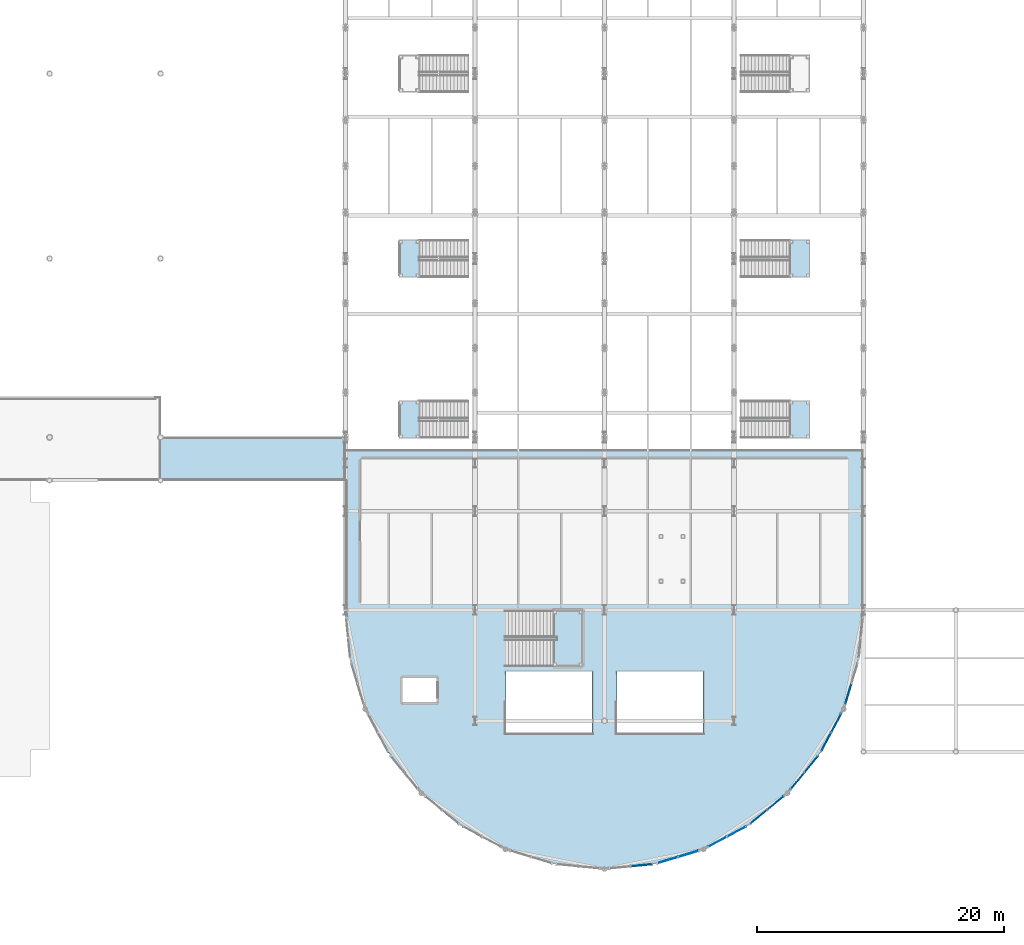
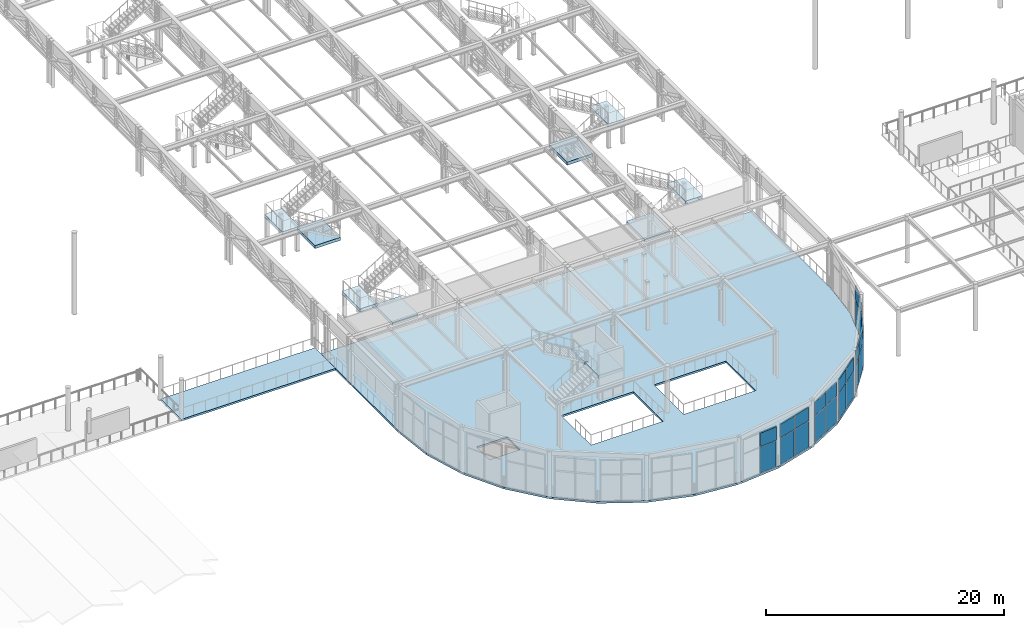
# One storey, part 72 of 143: 24 plates, 11 slabs, 12 elements without a shape of their own.
"""IFC4 building model written with IfcOpenShell, lengths in metres."""

from ifc_helpers import new_model, si_unit, direction, frame, origin, origin_2d, place, context, subcontext, project, spatial, polyline, rectangle, outline, extrude, material, layer, layer_set, type_object, element, aggregate, save


model = new_model("IFC4")

# Units and contexts
model_context = context("Model", 3, precision=1e-05, world=origin(), true_north=direction((0.0, 1.0)))
body_context = subcontext(model_context, "Body", "Model", "MODEL_VIEW")
ifc_project = project(units=[si_unit("LENGTHUNIT", "METRE"), si_unit("AREAUNIT", "SQUARE_METRE"), si_unit("VOLUMEUNIT", "CUBIC_METRE"), si_unit("PLANEANGLEUNIT", "RADIAN"), si_unit("MASSUNIT", "GRAM", prefix="KILO")], contexts=[model_context])

# Site, building, storey
site_placement = place(None, origin())
site = spatial("IfcSite", under=ifc_project, at=site_placement, CompositionType="ELEMENT")
building_placement = place(site_placement, origin())
building = spatial("IfcBuilding", under=site, at=building_placement, Name="Marlcrest Central Station", CompositionType="ELEMENT")
storey_placement = place(building_placement, frame((0.0, 0.0, 4.800048828125)))
storey = spatial("IfcBuildingStorey", under=building, at=storey_placement, Name="L01", CompositionType="ELEMENT", Elevation=4.800048828125)

# Curtain wall, plate
ifc_material_1 = material(Name="Anodised aluminium and hurricane laminated glass", Category="aluminium")
ifc_layer_1 = layer(ifc_material_1, 0.219970703125, Name="CW-U1")
ifc_layer_set_1 = layer_set([ifc_layer_1], Name="Anodised aluminium and hurricane laminated glass")
curtain_wall_type = type_object("IfcCurtainWallType", Name="CW-U1", PredefinedType="USERDEFINED", material=ifc_layer_set_1)
curtain_wall_1_placement = place(storey_placement, origin())
curtain_wall_1 = element("IfcCurtainWall", 1, at=curtain_wall_1_placement, inside=storey, type_object=curtain_wall_type, Name="cw-L01-0017", ObjectType="UNITISED_CURTAIN_WALL", PredefinedType="USERDEFINED")
ifc_material_2 = material(Name="Hurricane laminated solar-control glass", Category="glass")
ifc_layer_2 = layer(ifc_material_2, 0.031982421875, Name="CP-01")
ifc_layer_set_2 = layer_set([ifc_layer_2], Name="Hurricane laminated solar-control glass")
plate_type_1 = type_object("IfcPlateType", Name="CP-01", PredefinedType="CURTAIN_PANEL", material=ifc_layer_set_2)
plate_1_placement = place(storey_placement, frame((111.01953125, 1.7978515625, 0.080078125), z_axis=(0.0, 0.0, 1.0), x_axis=(-0.995172744192, -0.098138724349, 0.0)))
plate_1 = element("IfcPlate", 2, at=plate_1_placement, type_object=plate_type_1, Name="cw-L01-0017-cp-lo-0", PredefinedType="CURTAIN_PANEL", context=body_context, shape_type="SweptSolid", body=[
    extrude(rectangle(XDim=1.677490234375, YDim=0.031982421875, at=origin_2d()), origin(), (0.0, 0.0, 1.0), 2.675048828125),
])

# Curtain wall, plates
curtain_wall_2_placement = place(storey_placement, origin())
curtain_wall_2 = element("IfcCurtainWall", 3, at=curtain_wall_2_placement, inside=storey, type_object=curtain_wall_type, Name="cw-L01-0018", ObjectType="UNITISED_CURTAIN_WALL", PredefinedType="USERDEFINED")
plate_2_placement = place(storey_placement, frame((114.810546875, 2.727294921875, 0.080078125), z_axis=(0.0, 0.0, 1.0), x_axis=(-0.956930202302, -0.290318080597, 0.0)))
plate_2 = element("IfcPlate", 4, at=plate_2_placement, type_object=plate_type_1, Name="cw-L01-0018-cp-lo-0", PredefinedType="CURTAIN_PANEL", context=body_context, shape_type="SweptSolid", body=[
    extrude(rectangle(XDim=1.67724609375, YDim=0.031982421875, at=origin_2d()), origin(), (0.0, 0.0, 1.0), 2.675048828125),
])
plate_3_placement = place(storey_placement, frame((113.1328125, 2.21826171875, 0.080078125), z_axis=(0.0, 0.0, 1.0), x_axis=(-0.956930202302, -0.290318080597, 0.0)))
plate_3 = element("IfcPlate", 5, at=plate_3_placement, type_object=plate_type_1, Name="cw-L01-0018-cp-lo-1", PredefinedType="CURTAIN_PANEL", context=body_context, shape_type="SweptSolid", body=[
    extrude(rectangle(XDim=1.67724609375, YDim=0.031982421875, at=origin_2d()), origin(), (0.0, 0.0, 1.0), 2.675048828125),
])

curtain_wall_3_placement = place(storey_placement, origin())
curtain_wall_3 = element("IfcCurtainWall", 6, at=curtain_wall_3_placement, inside=storey, type_object=curtain_wall_type, Name="cw-L01-0019", ObjectType="UNITISED_CURTAIN_WALL", PredefinedType="USERDEFINED")
plate_4_placement = place(storey_placement, frame((118.712158203125, 4.52880859375, 0.080078125), z_axis=(0.0, 0.0, 1.0), x_axis=(-0.882003525167, -0.471242805349, 0.0)))
plate_4 = element("IfcPlate", 7, at=plate_4_placement, type_object=plate_type_1, Name="cw-L01-0019-cp-lo-0", PredefinedType="CURTAIN_PANEL", context=body_context, shape_type="SweptSolid", body=[
    extrude(rectangle(XDim=1.677490234375, YDim=0.031982421875, at=origin_2d()), origin(), (0.0, 0.0, 1.0), 2.675048828125),
])
plate_5_placement = place(storey_placement, frame((117.16552734375, 3.70263671875, 0.080078125), z_axis=(0.0, 0.0, 1.0), x_axis=(-0.882003525167, -0.471242805349, 0.0)))
plate_5 = element("IfcPlate", 8, at=plate_5_placement, type_object=plate_type_1, Name="cw-L01-0019-cp-lo-1", PredefinedType="CURTAIN_PANEL", context=body_context, shape_type="SweptSolid", body=[
    extrude(rectangle(XDim=1.677490234375, YDim=0.031982421875, at=origin_2d()), origin(), (0.0, 0.0, 1.0), 2.675048828125),
])

curtain_wall_4_placement = place(storey_placement, origin())
curtain_wall_4 = element("IfcCurtainWall", 9, at=curtain_wall_4_placement, inside=storey, type_object=curtain_wall_type, Name="cw-L01-0020", ObjectType="UNITISED_CURTAIN_WALL", PredefinedType="USERDEFINED")
plate_6_placement = place(storey_placement, frame((121.859130859375, 6.83837890625, 0.080078125), z_axis=(0.0, 0.0, 1.0), x_axis=(-0.772944015615, -0.63447423015, 0.0)))
plate_6 = element("IfcPlate", 10, at=plate_6_placement, type_object=plate_type_1, Name="cw-L01-0020-cp-lo-0", PredefinedType="CURTAIN_PANEL", context=body_context, shape_type="SweptSolid", body=[
    extrude(rectangle(XDim=1.677490234375, YDim=0.031982421875, at=origin_2d()), origin(), (0.0, 0.0, 1.0), 2.675048828125),
])
plate_7_placement = place(storey_placement, frame((120.50390625, 5.725830078125, 0.080078125), z_axis=(0.0, 0.0, 1.0), x_axis=(-0.772944015615, -0.63447423015, 0.0)))
plate_7 = element("IfcPlate", 11, at=plate_7_placement, type_object=plate_type_1, Name="cw-L01-0020-cp-lo-1", PredefinedType="CURTAIN_PANEL", context=body_context, shape_type="SweptSolid", body=[
    extrude(rectangle(XDim=1.677490234375, YDim=0.031982421875, at=origin_2d()), origin(), (0.0, 0.0, 1.0), 2.675048828125),
])

curtain_wall_5_placement = place(storey_placement, origin())
curtain_wall_5 = element("IfcCurtainWall", 12, at=curtain_wall_5_placement, inside=storey, type_object=curtain_wall_type, Name="cw-L01-0021", ObjectType="UNITISED_CURTAIN_WALL", PredefinedType="USERDEFINED")
plate_8_placement = place(storey_placement, frame((124.774169921875, 9.99609375, 0.080078125), z_axis=(0.0, 0.0, 1.0), x_axis=(-0.63447423015, -0.772944015615, 0.0)))
plate_8 = element("IfcPlate", 13, at=plate_8_placement, type_object=plate_type_1, Name="cw-L01-0021-cp-lo-0", PredefinedType="CURTAIN_PANEL", context=body_context, shape_type="SweptSolid", body=[
    extrude(rectangle(XDim=1.677490234375, YDim=0.031982421875, at=origin_2d()), origin(), (0.0, 0.0, 1.0), 2.675048828125),
])
plate_9_placement = place(storey_placement, frame((123.66162109375, 8.640869140625, 0.080078125), z_axis=(0.0, 0.0, 1.0), x_axis=(-0.63447423015, -0.772944015615, 0.0)))
plate_9 = element("IfcPlate", 14, at=plate_9_placement, type_object=plate_type_1, Name="cw-L01-0021-cp-lo-1", PredefinedType="CURTAIN_PANEL", context=body_context, shape_type="SweptSolid", body=[
    extrude(rectangle(XDim=1.677490234375, YDim=0.031982421875, at=origin_2d()), origin(), (0.0, 0.0, 1.0), 2.675048828125),
])

curtain_wall_6_placement = place(storey_placement, origin())
curtain_wall_6 = element("IfcCurtainWall", 15, at=curtain_wall_6_placement, inside=storey, type_object=curtain_wall_type, Name="cw-L01-0022", ObjectType="UNITISED_CURTAIN_WALL", PredefinedType="USERDEFINED")
plate_10_placement = place(storey_placement, frame((126.79736328125, 13.33447265625, 0.080078125), z_axis=(0.0, 0.0, 1.0), x_axis=(-0.471242805349, -0.882003525167, 0.0)))
plate_10 = element("IfcPlate", 16, at=plate_10_placement, type_object=plate_type_1, Name="cw-L01-0022-cp-lo-0", PredefinedType="CURTAIN_PANEL", context=body_context, shape_type="SweptSolid", body=[
    extrude(rectangle(XDim=1.677490234375, YDim=0.031982421875, at=origin_2d()), origin(), (0.0, 0.0, 1.0), 2.675048828125),
])
plate_11_placement = place(storey_placement, frame((125.97119140625, 11.787841796875, 0.080078125), z_axis=(0.0, 0.0, 1.0), x_axis=(-0.471242805349, -0.882003525167, 0.0)))
plate_11 = element("IfcPlate", 17, at=plate_11_placement, type_object=plate_type_1, Name="cw-L01-0022-cp-lo-1", PredefinedType="CURTAIN_PANEL", context=body_context, shape_type="SweptSolid", body=[
    extrude(rectangle(XDim=1.677490234375, YDim=0.031982421875, at=origin_2d()), origin(), (0.0, 0.0, 1.0), 2.675048828125),
])

# Curtain wall, plate
curtain_wall_7_placement = place(storey_placement, origin())
curtain_wall_7 = element("IfcCurtainWall", 18, at=curtain_wall_7_placement, inside=storey, type_object=curtain_wall_type, Name="cw-L01-0023", ObjectType="UNITISED_CURTAIN_WALL", PredefinedType="USERDEFINED")
plate_12_placement = place(storey_placement, frame((127.772705078125, 15.689453125, 0.080078125), z_axis=(0.0, 0.0, 1.0), x_axis=(-0.290318080597, -0.956930202302, 0.0)))
plate_12 = element("IfcPlate", 19, at=plate_12_placement, type_object=plate_type_1, Name="cw-L01-0023-cp-lo-1", PredefinedType="CURTAIN_PANEL", context=body_context, shape_type="SweptSolid", body=[
    extrude(rectangle(XDim=1.67724609375, YDim=0.031982421875, at=origin_2d()), origin(), (0.0, 0.0, 1.0), 2.675048828125),
])

# Plate
ifc_material_3 = material(Name="Insulated bronze-anodised aluminium spandrel panel", Category="aluminium")
ifc_layer_3 = layer(ifc_material_3, 0.06005859375, Name="CP-04")
ifc_layer_set_3 = layer_set([ifc_layer_3], Name="Insulated bronze-anodised aluminium spandrel panel")
plate_type_2 = type_object("IfcPlateType", Name="CP-04", PredefinedType="CURTAIN_PANEL", material=ifc_layer_set_3)
plate_13_placement = place(storey_placement, frame((114.810546875, 2.727294921875, 2.8349609375), z_axis=(0.0, 0.0, 1.0), x_axis=(-0.956930202302, -0.290318080597, 0.0)))
plate_13 = element("IfcPlate", 20, at=plate_13_placement, type_object=plate_type_2, Name="cw-L01-0018-cp-hi-0", PredefinedType="CURTAIN_PANEL", context=body_context, shape_type="SweptSolid", body=[
    extrude(rectangle(XDim=1.67724609375, YDim=0.06005859375, at=origin_2d()), origin(), (0.0, 0.0, 1.0), 1.385009765625),
])

plate_14_placement = place(storey_placement, frame((113.1328125, 2.21826171875, 2.8349609375), z_axis=(0.0, 0.0, 1.0), x_axis=(-0.956930202302, -0.290318080597, 0.0)))
plate_14 = element("IfcPlate", 21, at=plate_14_placement, type_object=plate_type_2, Name="cw-L01-0018-cp-hi-1", PredefinedType="CURTAIN_PANEL", context=body_context, shape_type="SweptSolid", body=[
    extrude(rectangle(XDim=1.67724609375, YDim=0.06005859375, at=origin_2d()), origin(), (0.0, 0.0, 1.0), 1.385009765625),
])

aggregate(curtain_wall_2, [plate_2, plate_13, plate_3, plate_14])

ifc_layer_4 = layer(ifc_material_3, 0.050048828125, Name="CP-05")
ifc_layer_set_4 = layer_set([ifc_layer_4], Name="Insulated bronze-anodised aluminium spandrel panel")
plate_type_3 = type_object("IfcPlateType", Name="CP-05", PredefinedType="CURTAIN_PANEL", material=ifc_layer_set_4)
plate_15_placement = place(storey_placement, frame((118.712158203125, 4.52880859375, 2.8349609375), z_axis=(0.0, 0.0, 1.0), x_axis=(-0.882003525167, -0.471242805349, 0.0)))
plate_15 = element("IfcPlate", 22, at=plate_15_placement, type_object=plate_type_3, Name="cw-L01-0019-cp-hi-0", PredefinedType="CURTAIN_PANEL", context=body_context, shape_type="SweptSolid", body=[
    extrude(rectangle(XDim=1.677490234375, YDim=0.050048828125, at=origin_2d()), origin(), (0.0, 0.0, 1.0), 1.385009765625),
])

plate_16_placement = place(storey_placement, frame((117.16552734375, 3.70263671875, 2.8349609375), z_axis=(0.0, 0.0, 1.0), x_axis=(-0.882003525167, -0.471242805349, 0.0)))
plate_16 = element("IfcPlate", 23, at=plate_16_placement, type_object=plate_type_3, Name="cw-L01-0019-cp-hi-1", PredefinedType="CURTAIN_PANEL", context=body_context, shape_type="SweptSolid", body=[
    extrude(rectangle(XDim=1.677490234375, YDim=0.050048828125, at=origin_2d()), origin(), (0.0, 0.0, 1.0), 1.385009765625),
])

aggregate(curtain_wall_3, [plate_4, plate_15, plate_5, plate_16])

ifc_material_4 = material(Name="Insulated acoustic spandrel panel")
ifc_layer_5 = layer(ifc_material_4, 0.074951171875, Name="CP-06")
ifc_layer_set_5 = layer_set([ifc_layer_5], Name="Insulated acoustic spandrel panel")
plate_type_4 = type_object("IfcPlateType", Name="CP-06", PredefinedType="CURTAIN_PANEL", material=ifc_layer_set_5)
plate_17_placement = place(storey_placement, frame((121.859130859375, 6.83837890625, 2.8349609375), z_axis=(0.0, 0.0, 1.0), x_axis=(-0.772944015615, -0.63447423015, 0.0)))
plate_17 = element("IfcPlate", 24, at=plate_17_placement, type_object=plate_type_4, Name="cw-L01-0020-cp-hi-0", PredefinedType="CURTAIN_PANEL", context=body_context, shape_type="SweptSolid", body=[
    extrude(rectangle(XDim=1.677490234375, YDim=0.074951171875, at=origin_2d()), origin(), (0.0, 0.0, 1.0), 1.385009765625),
])

plate_18_placement = place(storey_placement, frame((120.50390625, 5.725830078125, 2.8349609375), z_axis=(0.0, 0.0, 1.0), x_axis=(-0.772944015615, -0.63447423015, 0.0)))
plate_18 = element("IfcPlate", 25, at=plate_18_placement, type_object=plate_type_4, Name="cw-L01-0020-cp-hi-1", PredefinedType="CURTAIN_PANEL", context=body_context, shape_type="SweptSolid", body=[
    extrude(rectangle(XDim=1.677490234375, YDim=0.074951171875, at=origin_2d()), origin(), (0.0, 0.0, 1.0), 1.385009765625),
])

aggregate(curtain_wall_4, [plate_6, plate_17, plate_7, plate_18])

ifc_material_5 = material(Name="Insulated hurricane-rated spandrel panel")
ifc_layer_6 = layer(ifc_material_5, 0.090087890625, Name="CP-07")
ifc_layer_set_6 = layer_set([ifc_layer_6], Name="Insulated hurricane-rated spandrel panel")
plate_type_5 = type_object("IfcPlateType", Name="CP-07", PredefinedType="CURTAIN_PANEL", material=ifc_layer_set_6)
plate_19_placement = place(storey_placement, frame((124.774169921875, 9.99609375, 2.8349609375), z_axis=(0.0, 0.0, 1.0), x_axis=(-0.63447423015, -0.772944015615, 0.0)))
plate_19 = element("IfcPlate", 26, at=plate_19_placement, type_object=plate_type_5, Name="cw-L01-0021-cp-hi-0", PredefinedType="CURTAIN_PANEL", context=body_context, shape_type="SweptSolid", body=[
    extrude(rectangle(XDim=1.677490234375, YDim=0.090087890625, at=origin_2d()), origin(), (0.0, 0.0, 1.0), 1.385009765625),
])

plate_20_placement = place(storey_placement, frame((123.66162109375, 8.640869140625, 2.8349609375), z_axis=(0.0, 0.0, 1.0), x_axis=(-0.63447423015, -0.772944015615, 0.0)))
plate_20 = element("IfcPlate", 27, at=plate_20_placement, type_object=plate_type_5, Name="cw-L01-0021-cp-hi-1", PredefinedType="CURTAIN_PANEL", context=body_context, shape_type="SweptSolid", body=[
    extrude(rectangle(XDim=1.677490234375, YDim=0.090087890625, at=origin_2d()), origin(), (0.0, 0.0, 1.0), 1.385009765625),
])

aggregate(curtain_wall_5, [plate_8, plate_19, plate_9, plate_20])

ifc_material_6 = material(Name="Insulated shadow-box spandrel panel")
ifc_layer_7 = layer(ifc_material_6, 0.10498046875, Name="CP-08")
ifc_layer_set_7 = layer_set([ifc_layer_7], Name="Insulated shadow-box spandrel panel")
plate_type_6 = type_object("IfcPlateType", Name="CP-08", PredefinedType="CURTAIN_PANEL", material=ifc_layer_set_7)
plate_21_placement = place(storey_placement, frame((126.79736328125, 13.33447265625, 2.8349609375), z_axis=(0.0, 0.0, 1.0), x_axis=(-0.471242805349, -0.882003525167, 0.0)))
plate_21 = element("IfcPlate", 28, at=plate_21_placement, type_object=plate_type_6, Name="cw-L01-0022-cp-hi-0", PredefinedType="CURTAIN_PANEL", context=body_context, shape_type="SweptSolid", body=[
    extrude(rectangle(XDim=1.677490234375, YDim=0.10498046875, at=origin_2d()), origin(), (0.0, 0.0, 1.0), 1.385009765625),
])

plate_22_placement = place(storey_placement, frame((125.97119140625, 11.787841796875, 2.8349609375), z_axis=(0.0, 0.0, 1.0), x_axis=(-0.471242805349, -0.882003525167, 0.0)))
plate_22 = element("IfcPlate", 29, at=plate_22_placement, type_object=plate_type_6, Name="cw-L01-0022-cp-hi-1", PredefinedType="CURTAIN_PANEL", context=body_context, shape_type="SweptSolid", body=[
    extrude(rectangle(XDim=1.677490234375, YDim=0.10498046875, at=origin_2d()), origin(), (0.0, 0.0, 1.0), 1.385009765625),
])

aggregate(curtain_wall_6, [plate_10, plate_21, plate_11, plate_22])

ifc_material_7 = material(Name="Insulated fire-safing spandrel panel")
ifc_layer_8 = layer(ifc_material_7, 0.1201171875, Name="CP-09")
ifc_layer_set_8 = layer_set([ifc_layer_8], Name="Insulated fire-safing spandrel panel")
plate_type_7 = type_object("IfcPlateType", Name="CP-09", PredefinedType="CURTAIN_PANEL", material=ifc_layer_set_8)
plate_23_placement = place(storey_placement, frame((111.01953125, 1.7978515625, 2.8349609375), z_axis=(0.0, 0.0, 1.0), x_axis=(-0.995172744192, -0.098138724349, 0.0)))
plate_23 = element("IfcPlate", 30, at=plate_23_placement, type_object=plate_type_7, Name="cw-L01-0017-cp-hi-0", PredefinedType="CURTAIN_PANEL", context=body_context, shape_type="SweptSolid", body=[
    extrude(rectangle(XDim=1.677490234375, YDim=0.1201171875, at=origin_2d()), origin(), (0.0, 0.0, 1.0), 1.385009765625),
])

aggregate(curtain_wall_1, [plate_1, plate_23])

plate_24_placement = place(storey_placement, frame((127.772705078125, 15.689453125, 2.8349609375), z_axis=(0.0, 0.0, 1.0), x_axis=(-0.290318080597, -0.956930202302, 0.0)))
plate_24 = element("IfcPlate", 31, at=plate_24_placement, type_object=plate_type_7, Name="cw-L01-0023-cp-hi-1", PredefinedType="CURTAIN_PANEL", context=body_context, shape_type="SweptSolid", body=[
    extrude(rectangle(XDim=1.67724609375, YDim=0.1201171875, at=origin_2d()), origin(), (0.0, 0.0, 1.0), 1.385009765625),
])

aggregate(curtain_wall_7, [plate_12, plate_24])

# Slabs
ifc_material_8 = material(Name="Concrete C35/45", Category="concrete")
ifc_layer_9 = layer(ifc_material_8, 0.18994140625, Name="FS-02")
ifc_layer_set_9 = layer_set([ifc_layer_9], Name="Concrete C35/45")
slab_type_1 = type_object("IfcSlabType", Name="FS-02", PredefinedType="FLOOR", material=ifc_layer_set_9)
slab_1_placement = place(storey_placement, frame((0.0, 0.0, -0.18994140625)))
element("IfcSlab", 32, at=slab_1_placement, inside=storey, type_object=slab_type_1, Name="slab-L01-0088", PredefinedType="FLOOR", context=body_context, shape_type="SweptSolid", body=[
    extrude(outline(polyline([(87.0, 36.5), (87.0, 33.0), (72.0, 33.0), (72.0, 36.5), (87.0, 36.5)])), origin(), (0.0, 0.0, 1.0), 0.18994140625),
])
slab_2_placement = place(storey_placement, frame((0.0, 0.0, -0.18994140625)))
element("IfcSlab", 33, at=slab_2_placement, inside=storey, type_object=slab_type_1, Name="slab-L01-0091", PredefinedType="FLOOR", context=body_context, shape_type="SweptSolid", body=[
    extrude(outline(polyline([(129.0, 35.5), (129.0, 22.5), (128.595947265625, 18.403076171875), (127.40087890625, 14.464111328125), (125.4609375, 10.8330078125), (122.84912109375, 7.65087890625), (119.6669921875, 5.0390625), (116.035888671875, 3.09912109375), (112.096923828125, 1.904052734375), (108.0, 1.5), (103.903076171875, 1.904052734375), (99.964111328125, 3.09912109375), (96.3330078125, 5.0390625), (93.15087890625, 7.65087890625), (90.5390625, 10.8330078125), (88.59912109375, 14.464111328125), (87.404052734375, 18.403076171875), (87.0, 22.5), (87.0, 35.5), (129.0, 35.5)]), holes=[polyline([(107.0, 12.5), (107.0, 17.5), (100.0, 17.5), (100.0, 12.5), (107.0, 12.5)]), polyline([(116.0, 12.5), (116.0, 17.5), (109.0, 17.5), (109.0, 12.5), (116.0, 12.5)]), polyline([(94.47998046875, 14.919921875), (94.47998046875, 17.080078125), (91.52001953125, 17.080078125), (91.52001953125, 14.919921875), (94.47998046875, 14.919921875)])]), origin(), (0.0, 0.0, 1.0), 0.18994140625),
])
ifc_layer_10 = layer(ifc_material_8, 0.320068359375, Name="LS-01")
ifc_layer_set_10 = layer_set([ifc_layer_10], Name="Concrete C35/45")
slab_type_2 = type_object("IfcSlabType", Name="LS-01", PredefinedType="LANDING", material=ifc_layer_set_10)
slab_3_placement = place(storey_placement, frame((0.0, 0.0, -0.320068359375)))
element("IfcSlab", 34, at=slab_3_placement, inside=storey, type_object=slab_type_2, Name="ST-P1W-LT", PredefinedType="LANDING", context=body_context, shape_type="SweptSolid", body=[
    extrude(outline(polyline([(94.5, 36.419921875), (97.0, 36.419921875), (97.0, 39.47998046875), (94.5, 39.47998046875), (94.5, 36.419921875)])), origin(), (0.0, 0.0, 1.0), 0.320068359375),
])

# Stair, slab
stair_type_1 = type_object("IfcStairType", Name="ST-HTP", PredefinedType="HALF_TURN_STAIR", material=ifc_material_8)
stair_1_placement = place(storey_placement, origin())
stair_1 = element("IfcStair", 35, at=stair_1_placement, inside=storey, type_object=stair_type_1, Name="ST-P1WU", PredefinedType="HALF_TURN_STAIR")
slab_4_placement = place(storey_placement, frame((0.0, 0.0, 2.179931640625)))
slab_4 = element("IfcSlab", 36, at=slab_4_placement, type_object=slab_type_2, Name="ST-P1WU-L1", PredefinedType="LANDING", context=body_context, shape_type="SweptSolid", body=[
    extrude(outline(polyline([(91.340087890625, 36.419921875), (93.02001953125, 36.419921875), (93.02001953125, 39.47998046875), (91.340087890625, 39.47998046875), (91.340087890625, 36.419921875)])), origin(), (0.0, 0.0, 1.0), 0.320068359375),
])
aggregate(stair_1, [slab_4])

# Slab
slab_5_placement = place(storey_placement, frame((0.0, 0.0, -0.320068359375)))
element("IfcSlab", 37, at=slab_5_placement, inside=storey, type_object=slab_type_2, Name="ST-P1E-LT", PredefinedType="LANDING", context=body_context, shape_type="SweptSolid", body=[
    extrude(outline(polyline([(119.0, 36.419921875), (121.5, 36.419921875), (121.5, 39.47998046875), (119.0, 39.47998046875), (119.0, 36.419921875)])), origin(), (0.0, 0.0, 1.0), 0.320068359375),
])

# Stair, slab
stair_2_placement = place(storey_placement, origin())
stair_2 = element("IfcStair", 38, at=stair_2_placement, inside=storey, type_object=stair_type_1, Name="ST-P1EU", PredefinedType="HALF_TURN_STAIR")
slab_6_placement = place(storey_placement, frame((0.0, 0.0, 2.179931640625)))
slab_6 = element("IfcSlab", 39, at=slab_6_placement, type_object=slab_type_2, Name="ST-P1EU-L1", PredefinedType="LANDING", context=body_context, shape_type="SweptSolid", body=[
    extrude(outline(polyline([(122.97998046875, 36.419921875), (124.659912109375, 36.419921875), (124.659912109375, 39.47998046875), (122.97998046875, 39.47998046875), (122.97998046875, 36.419921875)])), origin(), (0.0, 0.0, 1.0), 0.320068359375),
])
aggregate(stair_2, [slab_6])

# Slab
slab_7_placement = place(storey_placement, frame((0.0, 0.0, -0.320068359375)))
element("IfcSlab", 40, at=slab_7_placement, inside=storey, type_object=slab_type_2, Name="ST-P2W-LT", PredefinedType="LANDING", context=body_context, shape_type="SweptSolid", body=[
    extrude(outline(polyline([(94.5, 49.469970703125), (97.0, 49.469970703125), (97.0, 52.530029296875), (94.5, 52.530029296875), (94.5, 49.469970703125)])), origin(), (0.0, 0.0, 1.0), 0.320068359375),
])

# Stair, slab
stair_3_placement = place(storey_placement, origin())
stair_3 = element("IfcStair", 41, at=stair_3_placement, inside=storey, type_object=stair_type_1, Name="ST-P2WU", PredefinedType="HALF_TURN_STAIR")
slab_8_placement = place(storey_placement, frame((0.0, 0.0, 2.179931640625)))
slab_8 = element("IfcSlab", 42, at=slab_8_placement, type_object=slab_type_2, Name="ST-P2WU-L1", PredefinedType="LANDING", context=body_context, shape_type="SweptSolid", body=[
    extrude(outline(polyline([(91.340087890625, 49.469970703125), (93.02001953125, 49.469970703125), (93.02001953125, 52.530029296875), (91.340087890625, 52.530029296875), (91.340087890625, 49.469970703125)])), origin(), (0.0, 0.0, 1.0), 0.320068359375),
])
aggregate(stair_3, [slab_8])

# Slab
slab_9_placement = place(storey_placement, frame((0.0, 0.0, -0.320068359375)))
element("IfcSlab", 43, at=slab_9_placement, inside=storey, type_object=slab_type_2, Name="ST-P2E-LT", PredefinedType="LANDING", context=body_context, shape_type="SweptSolid", body=[
    extrude(outline(polyline([(119.0, 49.469970703125), (121.5, 49.469970703125), (121.5, 52.530029296875), (119.0, 52.530029296875), (119.0, 49.469970703125)])), origin(), (0.0, 0.0, 1.0), 0.320068359375),
])

# Stair, slab
stair_4_placement = place(storey_placement, origin())
stair_4 = element("IfcStair", 44, at=stair_4_placement, inside=storey, type_object=stair_type_1, Name="ST-P2EU", PredefinedType="HALF_TURN_STAIR")
slab_10_placement = place(storey_placement, frame((0.0, 0.0, 2.179931640625)))
slab_10 = element("IfcSlab", 45, at=slab_10_placement, type_object=slab_type_2, Name="ST-P2EU-L1", PredefinedType="LANDING", context=body_context, shape_type="SweptSolid", body=[
    extrude(outline(polyline([(122.97998046875, 49.469970703125), (124.659912109375, 49.469970703125), (124.659912109375, 52.530029296875), (122.97998046875, 52.530029296875), (122.97998046875, 49.469970703125)])), origin(), (0.0, 0.0, 1.0), 0.320068359375),
])
aggregate(stair_4, [slab_10])

stair_type_2 = type_object("IfcStairType", Name="ST-HTW", PredefinedType="HALF_TURN_STAIR", material=ifc_material_8)
stair_5_placement = place(storey_placement, origin())
stair_5 = element("IfcStair", 46, at=stair_5_placement, inside=storey, type_object=stair_type_2, Name="ST-S11", PredefinedType="HALF_TURN_STAIR")
slab_11_placement = place(storey_placement, frame((0.0, 0.0, 2.179931640625)))
slab_11 = element("IfcSlab", 47, at=slab_11_placement, type_object=slab_type_2, Name="ST-S11-L1", PredefinedType="LANDING", context=body_context, shape_type="SweptSolid", body=[
    extrude(outline(polyline([(103.830078125, 17.919921875), (106.22998046875, 17.919921875), (106.22998046875, 22.47998046875), (103.830078125, 22.47998046875), (103.830078125, 20.260009765625), (104.080078125, 20.260009765625), (104.080078125, 20.139892578125), (103.830078125, 20.139892578125), (103.830078125, 17.919921875)])), origin(), (0.0, 0.0, 1.0), 0.320068359375),
])
aggregate(stair_5, [slab_11])

save(model, "model.ifc")
